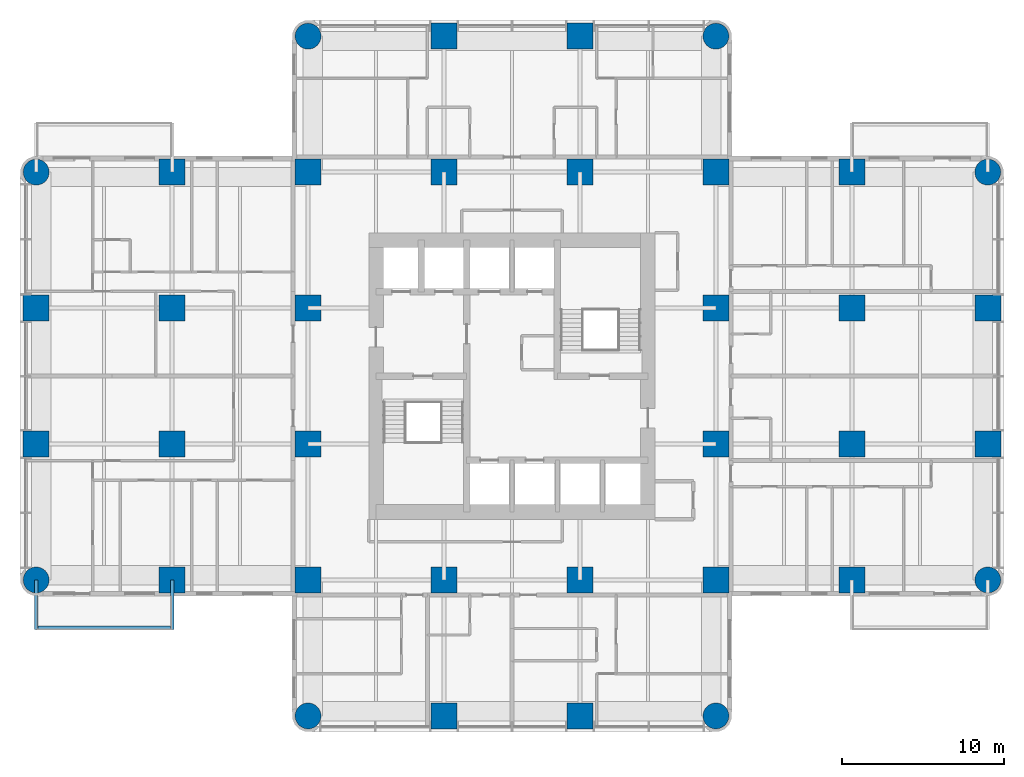
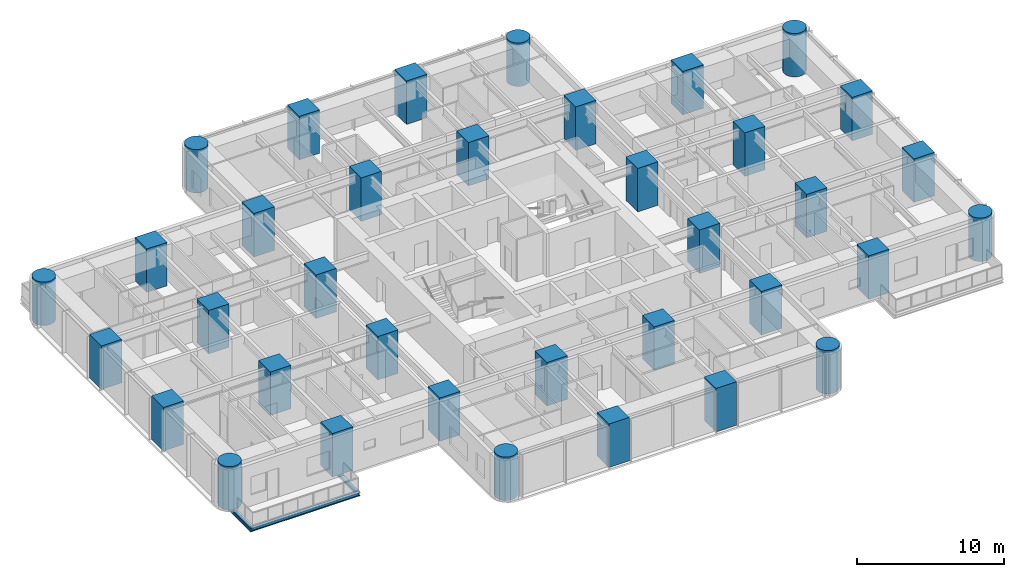
# One storey, part 1 of 14: 36 columns, 3 beams.
"""IFC4 building model written with IfcOpenShell, lengths in metres."""

from ifc_helpers import new_model, si_unit, direction, frame, origin, origin_2d, place, context, subcontext, project, spatial, rectangle, circle, i_section, extrude, material, material_profile, profile_set, type_object, element, save


model = new_model("IFC4")

# Units and contexts
model_context = context("Model", 3, precision=1e-05, world=origin(), true_north=direction((0.0, 1.0)))
body_context = subcontext(model_context, "Body", "Model", "MODEL_VIEW")
ifc_project = project(units=[si_unit("LENGTHUNIT", "METRE"), si_unit("AREAUNIT", "SQUARE_METRE"), si_unit("VOLUMEUNIT", "CUBIC_METRE"), si_unit("PLANEANGLEUNIT", "RADIAN"), si_unit("MASSUNIT", "GRAM", prefix="KILO")], contexts=[model_context])

# Site, building, storey
site_placement = place(None, origin())
site = spatial("IfcSite", under=ifc_project, at=site_placement, CompositionType="ELEMENT")
building_placement = place(site_placement, origin())
building = spatial("IfcBuilding", under=site, at=building_placement, Name="Torre Alcanfor", CompositionType="ELEMENT")
storey_placement = place(building_placement, frame((0.0, 0.0, 166.5)))
storey = spatial("IfcBuildingStorey", under=building, at=storey_placement, Name="L43", CompositionType="ELEMENT", Elevation=166.5)

# Columns
ifc_material_1 = material(Name="Concrete f'c 70 MPa", Category="concrete")
ifc_material_profile_1 = material_profile(ifc_material_1, rectangle(XDim=1.60009765625, YDim=1.60009765625, at=origin_2d()), Name="1600x1600")
ifc_profile_set_1 = profile_set([ifc_material_profile_1], Name="Concrete f'c 70 MPa")
column_type_1 = type_object("IfcColumnType", Name="RC column 1600x1600 f'c70", PredefinedType="COLUMN", material=ifc_profile_set_1)
for number, where, z_axis, x_axis, name in (
    (1, (0.0, 25.199951171875, 0.0), (0.0, 0.0, 1.0), (1.0, 0.0, 0.0), "Column 1/F L43"),
    (2, (0.0, 33.60009765625, 0.0), (0.0, 0.0, 1.0), (1.0, 0.0, 0.0), "Column 1/G L43"),
    (3, (8.39990234375, 16.800048828125, 0.0), (0.0, 0.0, 1.0), (1.0, 0.0, 0.0), "Column 2/E L43"),
    (4, (8.39990234375, 25.199951171875, 0.0), (0.0, 0.0, 1.0), (1.0, 0.0, 0.0), "Column 2/F L43"),
    (5, (8.39990234375, 33.60009765625, 0.0), (0.0, 0.0, 1.0), (1.0, 0.0, 0.0), "Column 2/G L43"),
    (6, (8.39990234375, 42.0, 0.0), (0.0, 0.0, 1.0), (1.0, 0.0, 0.0), "Column 2/H L43"),
    (7, (16.800048828125, 16.800048828125, 0.0), (0.0, 0.0, 1.0), (1.0, 0.0, 0.0), "Column 3/E L43"),
    (8, (16.800048828125, 25.199951171875, 0.0), (0.0, 0.0, 1.0), (1.0, 0.0, 0.0), "Column 3/F L43"),
    (9, (16.800048828125, 33.60009765625, 0.0), (0.0, 0.0, 1.0), (1.0, 0.0, 0.0), "Column 3/G L43"),
    (10, (16.800048828125, 42.0, 0.0), (0.0, 0.0, 1.0), (1.0, 0.0, 0.0), "Column 3/H L43"),
    (11, (25.199951171875, 8.39990234375, 0.0), (0.0, 0.0, 1.0), (1.0, 0.0, 0.0), "Column 4/D L43"),
    (12, (25.199951171875, 16.800048828125, 0.0), (0.0, 0.0, 1.0), (1.0, 0.0, 0.0), "Column 4/E L43"),
    (13, (25.199951171875, 42.0, 0.0), (0.0, 0.0, 1.0), (1.0, 0.0, 0.0), "Column 4/H L43"),
    (14, (25.199951171875, 50.39990234375, 0.0), (0.0, 0.0, 1.0), (1.0, 0.0, 0.0), "Column 4/J L43"),
    (15, (33.60009765625, 8.39990234375, 0.0), (0.0, 0.0, 1.0), (1.0, 0.0, 0.0), "Column 5/D L43"),
    (16, (33.60009765625, 16.800048828125, 0.0), (0.0, 0.0, 1.0), (1.0, 0.0, 0.0), "Column 5/E L43"),
    (17, (33.60009765625, 42.0, 0.0), (0.0, 0.0, 1.0), (1.0, 0.0, 0.0), "Column 5/H L43"),
    (18, (33.60009765625, 50.39990234375, 0.0), (0.0, 0.0, 1.0), (1.0, 0.0, 0.0), "Column 5/J L43"),
    (19, (42.0, 16.800048828125, 0.0), (0.0, 0.0, 1.0), (1.0, 0.0, 0.0), "Column 6/E L43"),
    (20, (42.0, 25.199951171875, 0.0), (0.0, 0.0, 1.0), (1.0, 0.0, 0.0), "Column 6/F L43"),
    (21, (42.0, 33.60009765625, 0.0), (0.0, 0.0, 1.0), (1.0, 0.0, 0.0), "Column 6/G L43"),
    (22, (42.0, 42.0, 0.0), (0.0, 0.0, 1.0), (1.0, 0.0, 0.0), "Column 6/H L43"),
    (23, (50.39990234375, 16.800048828125, 0.0), (0.0, 0.0, 1.0), (1.0, 0.0, 0.0), "Column 7/E L43"),
    (24, (50.39990234375, 25.199951171875, 0.0), (0.0, 0.0, 1.0), (1.0, 0.0, 0.0), "Column 7/F L43"),
    (25, (50.39990234375, 33.60009765625, 0.0), (0.0, 0.0, 1.0), (1.0, 0.0, 0.0), "Column 7/G L43"),
    (26, (50.39990234375, 42.0, 0.0), (0.0, 0.0, 1.0), (1.0, 0.0, 0.0), "Column 7/H L43"),
    (27, (58.800048828125, 25.199951171875, 0.0), (0.0, 0.0, 1.0), (1.0, 0.0, 0.0), "Column 8/F L43"),
    (28, (58.800048828125, 33.60009765625, 0.0), (0.0, 0.0, 1.0), (1.0, 0.0, 0.0), "Column 8/G L43"),
):
    element("IfcColumn", number, at=place(storey_placement, frame(where, z_axis=z_axis, x_axis=x_axis)), inside=storey, type_object=column_type_1, Name=name, PredefinedType="COLUMN", context=body_context, shape_type="SweptSolid", body=[
        extrude(rectangle(XDim=1.60009765625, YDim=1.60009765625, at=origin_2d()), origin(), (0.0, 0.0, 1.0), 3.60009765625),
    ])
ifc_material_2 = material(Name="Concrete f'c 70 MPa", Category="concrete")
ifc_material_profile_2 = material_profile(ifc_material_2, circle(Radius=0.800048828125, at=origin_2d()), Name="D1600")
ifc_profile_set_2 = profile_set([ifc_material_profile_2], Name="Concrete f'c 70 MPa")
column_type_2 = type_object("IfcColumnType", Name="RC column D1600 f'c70", PredefinedType="COLUMN", material=ifc_profile_set_2)
for number, where, z_axis, x_axis, name in (
    (29, (0.0, 16.800048828125, 0.0), (0.0, 0.0, 1.0), (1.0, 0.0, 0.0), "Column 1/E L43"),
    (30, (0.0, 42.0, 0.0), (0.0, 0.0, 1.0), (1.0, 0.0, 0.0), "Column 1/H L43"),
    (31, (16.800048828125, 8.39990234375, 0.0), (0.0, 0.0, 1.0), (1.0, 0.0, 0.0), "Column 3/D L43"),
    (32, (16.800048828125, 50.39990234375, 0.0), (0.0, 0.0, 1.0), (1.0, 0.0, 0.0), "Column 3/J L43"),
    (33, (42.0, 8.39990234375, 0.0), (0.0, 0.0, 1.0), (1.0, 0.0, 0.0), "Column 6/D L43"),
    (34, (42.0, 50.39990234375, 0.0), (0.0, 0.0, 1.0), (1.0, 0.0, 0.0), "Column 6/J L43"),
    (35, (58.800048828125, 16.800048828125, 0.0), (0.0, 0.0, 1.0), (1.0, 0.0, 0.0), "Column 8/E L43"),
    (36, (58.800048828125, 42.0, 0.0), (0.0, 0.0, 1.0), (1.0, 0.0, 0.0), "Column 8/H L43"),
):
    element("IfcColumn", number, at=place(storey_placement, frame(where, z_axis=z_axis, x_axis=x_axis)), inside=storey, type_object=column_type_2, Name=name, PredefinedType="COLUMN", context=body_context, shape_type="SweptSolid", body=[
        extrude(circle(Radius=0.800048828125, at=origin_2d()), origin(), (0.0, 0.0, 1.0), 3.60009765625),
    ])

# Beams
ifc_material_3 = material(Name="Steel ASTM A992 Grade 50", Category="steel")
ifc_material_profile_3 = material_profile(ifc_material_3, i_section(OverallWidth=0.205322265625, OverallDepth=0.309814453125, WebThickness=0.00927734375, FlangeThickness=0.016357421875, at=origin_2d()), Name="W12x50")
ifc_profile_set_3 = profile_set([ifc_material_profile_3], Name="Steel ASTM A992 Grade 50")
beam_type_1 = type_object("IfcBeamType", Name="Balcony cantilever beam W12x50", PredefinedType="BEAM", material=ifc_profile_set_3)
for number, where, z_axis, x_axis, name in (
    (37, (8.39990234375, 16.800048828125, -0.35498046875), (0.0, -1.0, 0.0), (1.0, 0.0, 0.0), "Balcony cantilever beam L43-W1 1"),
    (38, (0.0, 16.800048828125, -0.35498046875), (0.0, -1.0, 0.0), (1.0, 0.0, 0.0), "Balcony cantilever beam L43-W1 2"),
):
    element("IfcBeam", number, at=place(storey_placement, frame(where, z_axis=z_axis, x_axis=x_axis)), inside=storey, type_object=beam_type_1, Name=name, PredefinedType="BEAM", context=body_context, shape_type="SweptSolid", body=[
        extrude(i_section(OverallWidth=0.205322265625, OverallDepth=0.309814453125, WebThickness=0.00927734375, FlangeThickness=0.016357421875, at=origin_2d()), origin(), (0.0, 0.0, 1.0), 3.050048828125),
    ])
ifc_material_4 = material(Name="Steel ASTM A992 Grade 50", Category="steel")
ifc_material_profile_4 = material_profile(ifc_material_4, i_section(OverallWidth=0.203369140625, OverallDepth=0.30224609375, WebThickness=0.007568359375, FlangeThickness=0.01318359375, at=origin_2d()), Name="W12x40")
ifc_profile_set_4 = profile_set([ifc_material_profile_4], Name="Steel ASTM A992 Grade 50")
beam_type_2 = type_object("IfcBeamType", Name="Balcony edge trimmer W12x40", PredefinedType="BEAM", material=ifc_profile_set_4)
beam_placement = place(storey_placement, frame((8.39990234375, 13.851806640625, -0.35107421875), z_axis=(-1.0, 0.0, 0.0), x_axis=(0.0, -1.0, 0.0)))
element("IfcBeam", 39, at=beam_placement, inside=storey, type_object=beam_type_2, Name="Balcony edge trimmer L43-W1", PredefinedType="BEAM", context=body_context, shape_type="SweptSolid", body=[
    extrude(i_section(OverallWidth=0.203369140625, OverallDepth=0.30224609375, WebThickness=0.007568359375, FlangeThickness=0.01318359375, at=origin_2d()), origin(), (0.0, 0.0, 1.0), 8.39990234375),
])

save(model, "model.ifc")
